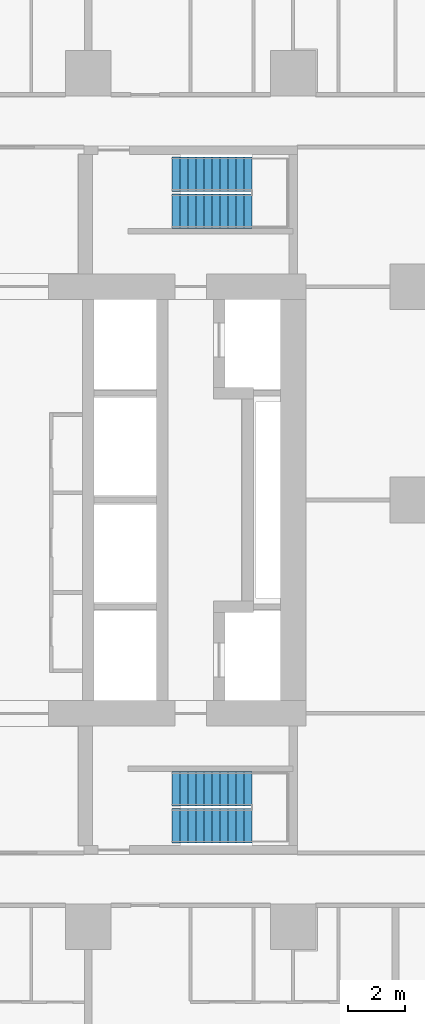
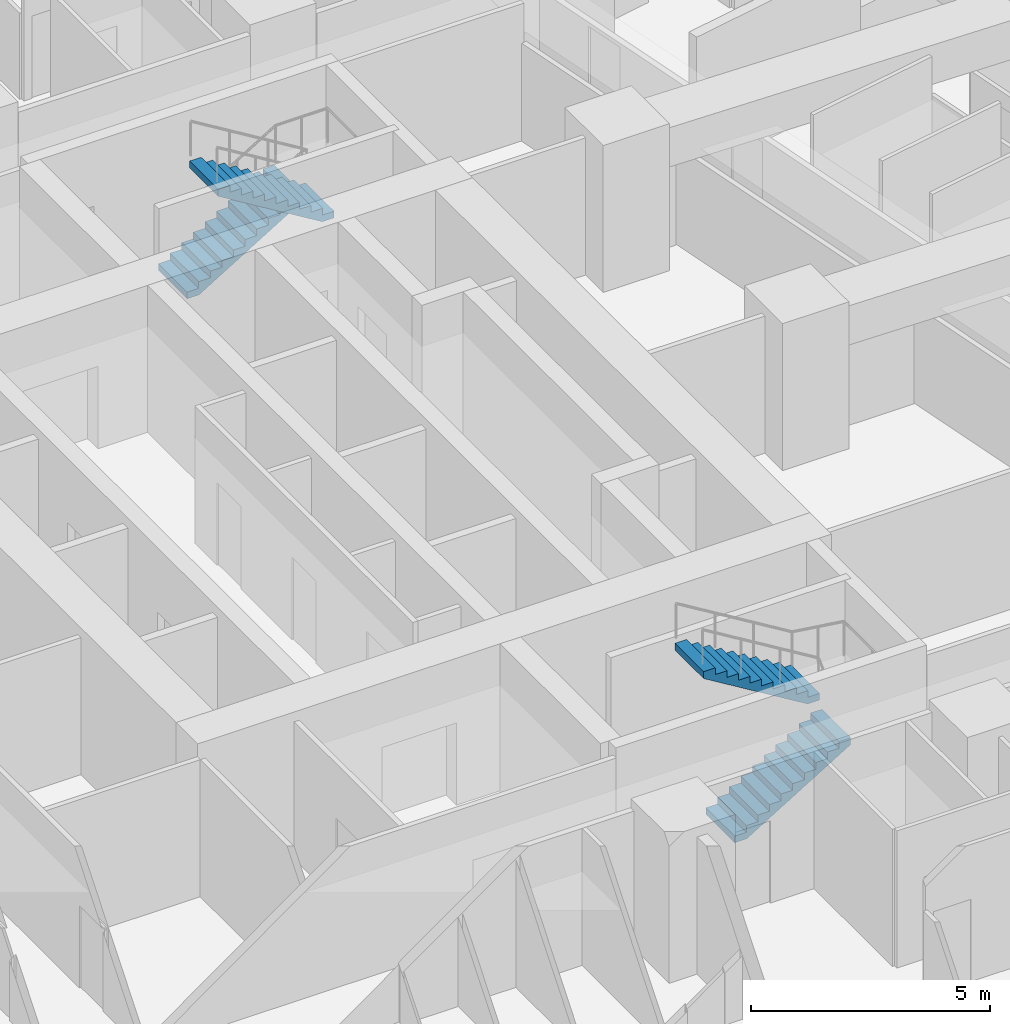
# One storey, part 12 of 15: 4 stair flights, 2 elements without a shape of their own.
"""IFC4 building model written with IfcOpenShell, lengths in metres."""

from ifc_helpers import new_model, si_unit, direction, frame, origin, place, context, subcontext, project, spatial, triangles, material, type_object, element, aggregate, save


model = new_model("IFC4")

# Units and contexts
model_context = context("Model", 3, precision=1e-05, world=origin(), true_north=direction((0.0, 1.0)))
body_context = subcontext(model_context, "Body", "Model", "MODEL_VIEW")
ifc_project = project(units=[si_unit("LENGTHUNIT", "METRE"), si_unit("AREAUNIT", "SQUARE_METRE"), si_unit("VOLUMEUNIT", "CUBIC_METRE"), si_unit("PLANEANGLEUNIT", "RADIAN"), si_unit("MASSUNIT", "GRAM", prefix="KILO")], contexts=[model_context])

# Site, building, storey
site_placement = place(None, origin())
site = spatial("IfcSite", under=ifc_project, at=site_placement, CompositionType="ELEMENT")
building_placement = place(site_placement, origin())
building = spatial("IfcBuilding", under=site, at=building_placement, Name="Sheger Commons Tower", CompositionType="ELEMENT")
storey_placement = place(building_placement, frame((0.0, 0.0, 107.89990234375)))
storey = spatial("IfcBuildingStorey", under=building, at=storey_placement, Name="L27", CompositionType="ELEMENT", Elevation=107.89990234375)

# Stair, stair flights
ifc_material_1 = material(Name="Concrete C35/45", Category="concrete")
stair_type = type_object("IfcStairType", Name="HALF-TURN STAIR 1200 RISE 3750", PredefinedType="HALF_TURN_STAIR", material=ifc_material_1)
stair_1_placement = place(storey_placement, origin())
stair_1 = element("IfcStair", 1, at=stair_1_placement, inside=storey, type_object=stair_type, Name="Stair S1 L27", PredefinedType="HALF_TURN_STAIR")
ifc_material_2 = material(Name="Concrete C35/45", Category="concrete")
stair_flight_type = type_object("IfcStairFlightType", Name="STAIR FLIGHT 1200 11 RISERS OF 170", PredefinedType="STRAIGHT", material=ifc_material_2)
stair_flight_1_placement = place(storey_placement, frame((24.550048828125, 11.050048828125, 0.0), z_axis=(0.0, 0.0, 1.0), x_axis=(1.0, 0.0, 0.0)))
stair_flight_1 = element("IfcStairFlight", 2, at=stair_flight_1_placement, type_object=stair_flight_type, Name="S1 flight 1", NumberOfRisers=11, NumberOfTreads=10, PredefinedType="STRAIGHT", RiserHeight=0.170454545, TreadLength=0.28, context=body_context, shape_type="Tessellation", body=[
    triangles([(0.0, 0.5999755859375, 0.0), (0.0, 0.5999755859375, 0.17041015625), (0.280029296875, 0.5999755859375, 0.17041015625), (0.280029296875, 0.5999755859375, 0.3408203125), (0.56005859375, 0.5999755859375, 0.3408203125), (0.56005859375, 0.5999755859375, 0.511474609375), (0.840087890625, 0.5999755859375, 0.511474609375), (0.840087890625, 0.5999755859375, 0.681884765625), (1.1201171875, 0.5999755859375, 0.681884765625), (1.1201171875, 0.5999755859375, 0.852294921875), (1.39990234375, 0.5999755859375, 0.852294921875), (1.39990234375, 0.5999755859375, 1.022705078125), (1.679931640625, 0.5999755859375, 1.022705078125), (1.679931640625, 0.5999755859375, 1.193115234375), (1.9599609375, 0.5999755859375, 1.193115234375), (1.9599609375, 0.5999755859375, 1.363525390625), (2.239990234375, 0.5999755859375, 1.363525390625), (2.239990234375, 0.5999755859375, 1.5341796875), (2.52001953125, 0.5999755859375, 1.5341796875), (2.52001953125, 0.5999755859375, 1.70458984375), (2.800048828125, 0.5999755859375, 1.70458984375), (2.800048828125, 0.5999755859375, 1.529052734375), (0.288330078125, 0.5999755859375, 0.0), (0.0, -0.5999755859375, 0.0), (0.0, -0.5999755859375, 0.17041015625), (0.280029296875, -0.5999755859375, 0.17041015625), (0.280029296875, -0.5999755859375, 0.3408203125), (0.56005859375, -0.5999755859375, 0.3408203125), (0.56005859375, -0.5999755859375, 0.511474609375), (0.840087890625, -0.5999755859375, 0.511474609375), (0.840087890625, -0.5999755859375, 0.681884765625), (1.1201171875, -0.5999755859375, 0.681884765625), (1.1201171875, -0.5999755859375, 0.852294921875), (1.39990234375, -0.5999755859375, 0.852294921875), (1.39990234375, -0.5999755859375, 1.022705078125), (1.679931640625, -0.5999755859375, 1.022705078125), (1.679931640625, -0.5999755859375, 1.193115234375), (1.9599609375, -0.5999755859375, 1.193115234375), (1.9599609375, -0.5999755859375, 1.363525390625), (2.239990234375, -0.5999755859375, 1.363525390625), (2.239990234375, -0.5999755859375, 1.5341796875), (2.52001953125, -0.5999755859375, 1.5341796875), (2.52001953125, -0.5999755859375, 1.70458984375), (2.800048828125, -0.5999755859375, 1.70458984375), (2.800048828125, -0.5999755859375, 1.529052734375), (0.288330078125, -0.5999755859375, 0.0), (0.0, 0.0, 0.085205078125), (0.1400146484375, 0.0, 0.17041015625), (0.280029296875, 0.0, 0.255615234375), (0.4200439453125, 0.0, 0.3408203125), (0.56005859375, 0.0, 0.4261474609375), (0.7000732421875, 0.0, 0.511474609375), (0.840087890625, 0.0, 0.5966796875), (0.9801025390625, 0.0, 0.681884765625), (1.1201171875, 0.0, 0.76708984375), (1.260009765625, 0.0, 0.852294921875), (1.39990234375, 0.0, 0.9375), (1.5399169921875, 0.0, 1.022705078125), (1.679931640625, 0.0, 1.10791015625), (1.8199462890625, 0.0, 1.193115234375), (1.9599609375, 0.0, 1.2783203125), (2.0999755859375, 0.0, 1.363525390625), (2.239990234375, 0.0, 1.4488525390625), (2.3800048828125, 0.0, 1.5341796875), (2.52001953125, 0.0, 1.619384765625), (2.6600341796875, 0.0, 1.70458984375), (2.800048828125, 0.0, 1.6168212890625), (1.544189453125, 0.0, 0.7645263671875), (0.1441650390625, 0.0, 0.0)], [[1, 22, 23], [24, 46, 45], [22, 20, 21], [45, 44, 43], [22, 19, 20], [45, 43, 42], [22, 18, 19], [45, 42, 41], [22, 17, 18], [45, 41, 40], [17, 15, 16], [40, 39, 38], [22, 15, 17], [45, 40, 38], [15, 13, 14], [38, 37, 36], [22, 13, 15], [45, 38, 36], [13, 11, 12], [36, 35, 34], [22, 11, 13], [45, 36, 34], [11, 9, 10], [34, 33, 32], [22, 9, 11], [45, 34, 32], [9, 7, 8], [32, 31, 30], [22, 7, 9], [45, 32, 30], [7, 5, 6], [30, 29, 28], [22, 5, 7], [45, 30, 28], [5, 3, 4], [28, 27, 26], [22, 3, 5], [45, 28, 26], [1, 3, 22], [24, 45, 26], [3, 1, 2], [26, 25, 24], [1, 47, 2], [2, 47, 25], [25, 47, 24], [24, 47, 1], [2, 48, 3], [3, 48, 26], [26, 48, 25], [25, 48, 2], [3, 49, 4], [4, 49, 27], [27, 49, 26], [26, 49, 3], [4, 50, 5], [5, 50, 28], [28, 50, 27], [27, 50, 4], [5, 51, 6], [6, 51, 29], [29, 51, 28], [28, 51, 5], [6, 52, 7], [7, 52, 30], [30, 52, 29], [29, 52, 6], [7, 53, 8], [8, 53, 31], [31, 53, 30], [30, 53, 7], [8, 54, 9], [9, 54, 32], [32, 54, 31], [31, 54, 8], [9, 55, 10], [10, 55, 33], [33, 55, 32], [32, 55, 9], [10, 56, 11], [11, 56, 34], [34, 56, 33], [33, 56, 10], [11, 57, 12], [12, 57, 35], [35, 57, 34], [34, 57, 11], [12, 58, 13], [13, 58, 36], [36, 58, 35], [35, 58, 12], [13, 59, 14], [14, 59, 37], [37, 59, 36], [36, 59, 13], [14, 60, 15], [15, 60, 38], [38, 60, 37], [37, 60, 14], [15, 61, 16], [16, 61, 39], [39, 61, 38], [38, 61, 15], [16, 62, 17], [17, 62, 40], [40, 62, 39], [39, 62, 16], [17, 63, 18], [18, 63, 41], [41, 63, 40], [40, 63, 17], [18, 64, 19], [19, 64, 42], [42, 64, 41], [41, 64, 18], [19, 65, 20], [20, 65, 43], [43, 65, 42], [42, 65, 19], [20, 66, 21], [21, 66, 44], [44, 66, 43], [43, 66, 20], [21, 67, 22], [22, 67, 45], [45, 67, 44], [44, 67, 21], [22, 68, 23], [23, 68, 46], [46, 68, 45], [45, 68, 22], [23, 69, 1], [1, 69, 24], [24, 69, 46], [46, 69, 23]], closed=True),
])
stair_flight_2_placement = place(storey_placement, frame((27.35009765625, 12.35009765625, 1.875), z_axis=(0.0, 0.0, 1.0), x_axis=(-1.0, 0.0, 0.0)))
stair_flight_2 = element("IfcStairFlight", 3, at=stair_flight_2_placement, type_object=stair_flight_type, Name="S1 flight 2", NumberOfRisers=11, NumberOfTreads=10, PredefinedType="STRAIGHT", RiserHeight=0.170454545, TreadLength=0.28, context=body_context, shape_type="Tessellation", body=[
    triangles([(0.0, 0.5999755859375, 0.0), (0.0, 0.5999755859375, 0.17041015625), (0.280029296875, 0.5999755859375, 0.17041015625), (0.280029296875, 0.5999755859375, 0.3408203125), (0.56005859375, 0.5999755859375, 0.3408203125), (0.56005859375, 0.5999755859375, 0.511474609375), (0.840087890625, 0.5999755859375, 0.511474609375), (0.840087890625, 0.5999755859375, 0.681884765625), (1.1201171875, 0.5999755859375, 0.681884765625), (1.1201171875, 0.5999755859375, 0.852294921875), (1.39990234375, 0.5999755859375, 0.852294921875), (1.39990234375, 0.5999755859375, 1.022705078125), (1.679931640625, 0.5999755859375, 1.022705078125), (1.679931640625, 0.5999755859375, 1.193115234375), (1.9599609375, 0.5999755859375, 1.193115234375), (1.9599609375, 0.5999755859375, 1.363525390625), (2.239990234375, 0.5999755859375, 1.363525390625), (2.239990234375, 0.5999755859375, 1.5341796875), (2.52001953125, 0.5999755859375, 1.5341796875), (2.52001953125, 0.5999755859375, 1.70458984375), (2.800048828125, 0.5999755859375, 1.70458984375), (2.800048828125, 0.5999755859375, 1.529052734375), (0.288330078125, 0.5999755859375, 0.0), (0.0, -0.5999755859375, 0.0), (0.0, -0.5999755859375, 0.17041015625), (0.280029296875, -0.5999755859375, 0.17041015625), (0.280029296875, -0.5999755859375, 0.3408203125), (0.56005859375, -0.5999755859375, 0.3408203125), (0.56005859375, -0.5999755859375, 0.511474609375), (0.840087890625, -0.5999755859375, 0.511474609375), (0.840087890625, -0.5999755859375, 0.681884765625), (1.1201171875, -0.5999755859375, 0.681884765625), (1.1201171875, -0.5999755859375, 0.852294921875), (1.39990234375, -0.5999755859375, 0.852294921875), (1.39990234375, -0.5999755859375, 1.022705078125), (1.679931640625, -0.5999755859375, 1.022705078125), (1.679931640625, -0.5999755859375, 1.193115234375), (1.9599609375, -0.5999755859375, 1.193115234375), (1.9599609375, -0.5999755859375, 1.363525390625), (2.239990234375, -0.5999755859375, 1.363525390625), (2.239990234375, -0.5999755859375, 1.5341796875), (2.52001953125, -0.5999755859375, 1.5341796875), (2.52001953125, -0.5999755859375, 1.70458984375), (2.800048828125, -0.5999755859375, 1.70458984375), (2.800048828125, -0.5999755859375, 1.529052734375), (0.288330078125, -0.5999755859375, 0.0), (0.0, 0.0, 0.085205078125), (0.1400146484375, 0.0, 0.17041015625), (0.280029296875, 0.0, 0.255615234375), (0.4200439453125, 0.0, 0.3408203125), (0.56005859375, 0.0, 0.4261474609375), (0.7000732421875, 0.0, 0.511474609375), (0.840087890625, 0.0, 0.5966796875), (0.9801025390625, 0.0, 0.681884765625), (1.1201171875, 0.0, 0.76708984375), (1.260009765625, 0.0, 0.852294921875), (1.39990234375, 0.0, 0.9375), (1.5399169921875, 0.0, 1.022705078125), (1.679931640625, 0.0, 1.10791015625), (1.8199462890625, 0.0, 1.193115234375), (1.9599609375, 0.0, 1.2783203125), (2.0999755859375, 0.0, 1.363525390625), (2.239990234375, 0.0, 1.4488525390625), (2.3800048828125, 0.0, 1.5341796875), (2.52001953125, 0.0, 1.619384765625), (2.6600341796875, 0.0, 1.70458984375), (2.800048828125, 0.0, 1.6168212890625), (1.544189453125, 0.0, 0.7645263671875), (0.1441650390625, 0.0, 0.0)], [[1, 22, 23], [24, 46, 45], [22, 20, 21], [45, 44, 43], [22, 19, 20], [45, 43, 42], [22, 18, 19], [45, 42, 41], [22, 17, 18], [45, 41, 40], [17, 15, 16], [40, 39, 38], [22, 15, 17], [45, 40, 38], [15, 13, 14], [38, 37, 36], [22, 13, 15], [45, 38, 36], [13, 11, 12], [36, 35, 34], [22, 11, 13], [45, 36, 34], [11, 9, 10], [34, 33, 32], [22, 9, 11], [45, 34, 32], [9, 7, 8], [32, 31, 30], [22, 7, 9], [45, 32, 30], [7, 5, 6], [30, 29, 28], [22, 5, 7], [45, 30, 28], [5, 3, 4], [28, 27, 26], [22, 3, 5], [45, 28, 26], [1, 3, 22], [24, 45, 26], [3, 1, 2], [26, 25, 24], [1, 47, 2], [2, 47, 25], [25, 47, 24], [24, 47, 1], [2, 48, 3], [3, 48, 26], [26, 48, 25], [25, 48, 2], [3, 49, 4], [4, 49, 27], [27, 49, 26], [26, 49, 3], [4, 50, 5], [5, 50, 28], [28, 50, 27], [27, 50, 4], [5, 51, 6], [6, 51, 29], [29, 51, 28], [28, 51, 5], [6, 52, 7], [7, 52, 30], [30, 52, 29], [29, 52, 6], [7, 53, 8], [8, 53, 31], [31, 53, 30], [30, 53, 7], [8, 54, 9], [9, 54, 32], [32, 54, 31], [31, 54, 8], [9, 55, 10], [10, 55, 33], [33, 55, 32], [32, 55, 9], [10, 56, 11], [11, 56, 34], [34, 56, 33], [33, 56, 10], [11, 57, 12], [12, 57, 35], [35, 57, 34], [34, 57, 11], [12, 58, 13], [13, 58, 36], [36, 58, 35], [35, 58, 12], [13, 59, 14], [14, 59, 37], [37, 59, 36], [36, 59, 13], [14, 60, 15], [15, 60, 38], [38, 60, 37], [37, 60, 14], [15, 61, 16], [16, 61, 39], [39, 61, 38], [38, 61, 15], [16, 62, 17], [17, 62, 40], [40, 62, 39], [39, 62, 16], [17, 63, 18], [18, 63, 41], [41, 63, 40], [40, 63, 17], [18, 64, 19], [19, 64, 42], [42, 64, 41], [41, 64, 18], [19, 65, 20], [20, 65, 43], [43, 65, 42], [42, 65, 19], [20, 66, 21], [21, 66, 44], [44, 66, 43], [43, 66, 20], [21, 67, 22], [22, 67, 45], [45, 67, 44], [44, 67, 21], [22, 68, 23], [23, 68, 46], [46, 68, 45], [45, 68, 22], [23, 69, 1], [1, 69, 24], [24, 69, 46], [46, 69, 23]], closed=True),
])
aggregate(stair_1, [stair_flight_1, stair_flight_2])

stair_2_placement = place(storey_placement, origin())
stair_2 = element("IfcStair", 4, at=stair_2_placement, inside=storey, type_object=stair_type, Name="Stair S2 L27", PredefinedType="HALF_TURN_STAIR")
stair_flight_3_placement = place(storey_placement, frame((24.550048828125, 33.949951171875, 0.0), z_axis=(0.0, 0.0, 1.0), x_axis=(1.0, 0.0, 0.0)))
stair_flight_3 = element("IfcStairFlight", 5, at=stair_flight_3_placement, type_object=stair_flight_type, Name="S2 flight 1", NumberOfRisers=11, NumberOfTreads=10, PredefinedType="STRAIGHT", RiserHeight=0.170454545, TreadLength=0.28, context=body_context, shape_type="Tessellation", body=[
    triangles([(0.0, 0.5999755859375, 0.0), (0.0, 0.5999755859375, 0.17041015625), (0.280029296875, 0.5999755859375, 0.17041015625), (0.280029296875, 0.5999755859375, 0.3408203125), (0.56005859375, 0.5999755859375, 0.3408203125), (0.56005859375, 0.5999755859375, 0.511474609375), (0.840087890625, 0.5999755859375, 0.511474609375), (0.840087890625, 0.5999755859375, 0.681884765625), (1.1201171875, 0.5999755859375, 0.681884765625), (1.1201171875, 0.5999755859375, 0.852294921875), (1.39990234375, 0.5999755859375, 0.852294921875), (1.39990234375, 0.5999755859375, 1.022705078125), (1.679931640625, 0.5999755859375, 1.022705078125), (1.679931640625, 0.5999755859375, 1.193115234375), (1.9599609375, 0.5999755859375, 1.193115234375), (1.9599609375, 0.5999755859375, 1.363525390625), (2.239990234375, 0.5999755859375, 1.363525390625), (2.239990234375, 0.5999755859375, 1.5341796875), (2.52001953125, 0.5999755859375, 1.5341796875), (2.52001953125, 0.5999755859375, 1.70458984375), (2.800048828125, 0.5999755859375, 1.70458984375), (2.800048828125, 0.5999755859375, 1.529052734375), (0.288330078125, 0.5999755859375, 0.0), (0.0, -0.5999755859375, 0.0), (0.0, -0.5999755859375, 0.17041015625), (0.280029296875, -0.5999755859375, 0.17041015625), (0.280029296875, -0.5999755859375, 0.3408203125), (0.56005859375, -0.5999755859375, 0.3408203125), (0.56005859375, -0.5999755859375, 0.511474609375), (0.840087890625, -0.5999755859375, 0.511474609375), (0.840087890625, -0.5999755859375, 0.681884765625), (1.1201171875, -0.5999755859375, 0.681884765625), (1.1201171875, -0.5999755859375, 0.852294921875), (1.39990234375, -0.5999755859375, 0.852294921875), (1.39990234375, -0.5999755859375, 1.022705078125), (1.679931640625, -0.5999755859375, 1.022705078125), (1.679931640625, -0.5999755859375, 1.193115234375), (1.9599609375, -0.5999755859375, 1.193115234375), (1.9599609375, -0.5999755859375, 1.363525390625), (2.239990234375, -0.5999755859375, 1.363525390625), (2.239990234375, -0.5999755859375, 1.5341796875), (2.52001953125, -0.5999755859375, 1.5341796875), (2.52001953125, -0.5999755859375, 1.70458984375), (2.800048828125, -0.5999755859375, 1.70458984375), (2.800048828125, -0.5999755859375, 1.529052734375), (0.288330078125, -0.5999755859375, 0.0), (0.0, 0.0, 0.085205078125), (0.1400146484375, 0.0, 0.17041015625), (0.280029296875, 0.0, 0.255615234375), (0.4200439453125, 0.0, 0.3408203125), (0.56005859375, 0.0, 0.4261474609375), (0.7000732421875, 0.0, 0.511474609375), (0.840087890625, 0.0, 0.5966796875), (0.9801025390625, 0.0, 0.681884765625), (1.1201171875, 0.0, 0.76708984375), (1.260009765625, 0.0, 0.852294921875), (1.39990234375, 0.0, 0.9375), (1.5399169921875, 0.0, 1.022705078125), (1.679931640625, 0.0, 1.10791015625), (1.8199462890625, 0.0, 1.193115234375), (1.9599609375, 0.0, 1.2783203125), (2.0999755859375, 0.0, 1.363525390625), (2.239990234375, 0.0, 1.4488525390625), (2.3800048828125, 0.0, 1.5341796875), (2.52001953125, 0.0, 1.619384765625), (2.6600341796875, 0.0, 1.70458984375), (2.800048828125, 0.0, 1.6168212890625), (1.544189453125, 0.0, 0.7645263671875), (0.1441650390625, 0.0, 0.0)], [[1, 22, 23], [24, 46, 45], [22, 20, 21], [45, 44, 43], [22, 19, 20], [45, 43, 42], [22, 18, 19], [45, 42, 41], [22, 17, 18], [45, 41, 40], [17, 15, 16], [40, 39, 38], [22, 15, 17], [45, 40, 38], [15, 13, 14], [38, 37, 36], [22, 13, 15], [45, 38, 36], [13, 11, 12], [36, 35, 34], [22, 11, 13], [45, 36, 34], [11, 9, 10], [34, 33, 32], [22, 9, 11], [45, 34, 32], [9, 7, 8], [32, 31, 30], [22, 7, 9], [45, 32, 30], [7, 5, 6], [30, 29, 28], [22, 5, 7], [45, 30, 28], [5, 3, 4], [28, 27, 26], [22, 3, 5], [45, 28, 26], [1, 3, 22], [24, 45, 26], [3, 1, 2], [26, 25, 24], [1, 47, 2], [2, 47, 25], [25, 47, 24], [24, 47, 1], [2, 48, 3], [3, 48, 26], [26, 48, 25], [25, 48, 2], [3, 49, 4], [4, 49, 27], [27, 49, 26], [26, 49, 3], [4, 50, 5], [5, 50, 28], [28, 50, 27], [27, 50, 4], [5, 51, 6], [6, 51, 29], [29, 51, 28], [28, 51, 5], [6, 52, 7], [7, 52, 30], [30, 52, 29], [29, 52, 6], [7, 53, 8], [8, 53, 31], [31, 53, 30], [30, 53, 7], [8, 54, 9], [9, 54, 32], [32, 54, 31], [31, 54, 8], [9, 55, 10], [10, 55, 33], [33, 55, 32], [32, 55, 9], [10, 56, 11], [11, 56, 34], [34, 56, 33], [33, 56, 10], [11, 57, 12], [12, 57, 35], [35, 57, 34], [34, 57, 11], [12, 58, 13], [13, 58, 36], [36, 58, 35], [35, 58, 12], [13, 59, 14], [14, 59, 37], [37, 59, 36], [36, 59, 13], [14, 60, 15], [15, 60, 38], [38, 60, 37], [37, 60, 14], [15, 61, 16], [16, 61, 39], [39, 61, 38], [38, 61, 15], [16, 62, 17], [17, 62, 40], [40, 62, 39], [39, 62, 16], [17, 63, 18], [18, 63, 41], [41, 63, 40], [40, 63, 17], [18, 64, 19], [19, 64, 42], [42, 64, 41], [41, 64, 18], [19, 65, 20], [20, 65, 43], [43, 65, 42], [42, 65, 19], [20, 66, 21], [21, 66, 44], [44, 66, 43], [43, 66, 20], [21, 67, 22], [22, 67, 45], [45, 67, 44], [44, 67, 21], [22, 68, 23], [23, 68, 46], [46, 68, 45], [45, 68, 22], [23, 69, 1], [1, 69, 24], [24, 69, 46], [46, 69, 23]], closed=True),
])
stair_flight_4_placement = place(storey_placement, frame((27.35009765625, 32.64990234375, 1.875), z_axis=(0.0, 0.0, 1.0), x_axis=(-1.0, 0.0, 0.0)))
stair_flight_4 = element("IfcStairFlight", 6, at=stair_flight_4_placement, type_object=stair_flight_type, Name="S2 flight 2", NumberOfRisers=11, NumberOfTreads=10, PredefinedType="STRAIGHT", RiserHeight=0.170454545, TreadLength=0.28, context=body_context, shape_type="Tessellation", body=[
    triangles([(0.0, 0.5999755859375, 0.0), (0.0, 0.5999755859375, 0.17041015625), (0.280029296875, 0.5999755859375, 0.17041015625), (0.280029296875, 0.5999755859375, 0.3408203125), (0.56005859375, 0.5999755859375, 0.3408203125), (0.56005859375, 0.5999755859375, 0.511474609375), (0.840087890625, 0.5999755859375, 0.511474609375), (0.840087890625, 0.5999755859375, 0.681884765625), (1.1201171875, 0.5999755859375, 0.681884765625), (1.1201171875, 0.5999755859375, 0.852294921875), (1.39990234375, 0.5999755859375, 0.852294921875), (1.39990234375, 0.5999755859375, 1.022705078125), (1.679931640625, 0.5999755859375, 1.022705078125), (1.679931640625, 0.5999755859375, 1.193115234375), (1.9599609375, 0.5999755859375, 1.193115234375), (1.9599609375, 0.5999755859375, 1.363525390625), (2.239990234375, 0.5999755859375, 1.363525390625), (2.239990234375, 0.5999755859375, 1.5341796875), (2.52001953125, 0.5999755859375, 1.5341796875), (2.52001953125, 0.5999755859375, 1.70458984375), (2.800048828125, 0.5999755859375, 1.70458984375), (2.800048828125, 0.5999755859375, 1.529052734375), (0.288330078125, 0.5999755859375, 0.0), (0.0, -0.5999755859375, 0.0), (0.0, -0.5999755859375, 0.17041015625), (0.280029296875, -0.5999755859375, 0.17041015625), (0.280029296875, -0.5999755859375, 0.3408203125), (0.56005859375, -0.5999755859375, 0.3408203125), (0.56005859375, -0.5999755859375, 0.511474609375), (0.840087890625, -0.5999755859375, 0.511474609375), (0.840087890625, -0.5999755859375, 0.681884765625), (1.1201171875, -0.5999755859375, 0.681884765625), (1.1201171875, -0.5999755859375, 0.852294921875), (1.39990234375, -0.5999755859375, 0.852294921875), (1.39990234375, -0.5999755859375, 1.022705078125), (1.679931640625, -0.5999755859375, 1.022705078125), (1.679931640625, -0.5999755859375, 1.193115234375), (1.9599609375, -0.5999755859375, 1.193115234375), (1.9599609375, -0.5999755859375, 1.363525390625), (2.239990234375, -0.5999755859375, 1.363525390625), (2.239990234375, -0.5999755859375, 1.5341796875), (2.52001953125, -0.5999755859375, 1.5341796875), (2.52001953125, -0.5999755859375, 1.70458984375), (2.800048828125, -0.5999755859375, 1.70458984375), (2.800048828125, -0.5999755859375, 1.529052734375), (0.288330078125, -0.5999755859375, 0.0), (0.0, 0.0, 0.085205078125), (0.1400146484375, 0.0, 0.17041015625), (0.280029296875, 0.0, 0.255615234375), (0.4200439453125, 0.0, 0.3408203125), (0.56005859375, 0.0, 0.4261474609375), (0.7000732421875, 0.0, 0.511474609375), (0.840087890625, 0.0, 0.5966796875), (0.9801025390625, 0.0, 0.681884765625), (1.1201171875, 0.0, 0.76708984375), (1.260009765625, 0.0, 0.852294921875), (1.39990234375, 0.0, 0.9375), (1.5399169921875, 0.0, 1.022705078125), (1.679931640625, 0.0, 1.10791015625), (1.8199462890625, 0.0, 1.193115234375), (1.9599609375, 0.0, 1.2783203125), (2.0999755859375, 0.0, 1.363525390625), (2.239990234375, 0.0, 1.4488525390625), (2.3800048828125, 0.0, 1.5341796875), (2.52001953125, 0.0, 1.619384765625), (2.6600341796875, 0.0, 1.70458984375), (2.800048828125, 0.0, 1.6168212890625), (1.544189453125, 0.0, 0.7645263671875), (0.1441650390625, 0.0, 0.0)], [[1, 22, 23], [24, 46, 45], [22, 20, 21], [45, 44, 43], [22, 19, 20], [45, 43, 42], [22, 18, 19], [45, 42, 41], [22, 17, 18], [45, 41, 40], [17, 15, 16], [40, 39, 38], [22, 15, 17], [45, 40, 38], [15, 13, 14], [38, 37, 36], [22, 13, 15], [45, 38, 36], [13, 11, 12], [36, 35, 34], [22, 11, 13], [45, 36, 34], [11, 9, 10], [34, 33, 32], [22, 9, 11], [45, 34, 32], [9, 7, 8], [32, 31, 30], [22, 7, 9], [45, 32, 30], [7, 5, 6], [30, 29, 28], [22, 5, 7], [45, 30, 28], [5, 3, 4], [28, 27, 26], [22, 3, 5], [45, 28, 26], [1, 3, 22], [24, 45, 26], [3, 1, 2], [26, 25, 24], [1, 47, 2], [2, 47, 25], [25, 47, 24], [24, 47, 1], [2, 48, 3], [3, 48, 26], [26, 48, 25], [25, 48, 2], [3, 49, 4], [4, 49, 27], [27, 49, 26], [26, 49, 3], [4, 50, 5], [5, 50, 28], [28, 50, 27], [27, 50, 4], [5, 51, 6], [6, 51, 29], [29, 51, 28], [28, 51, 5], [6, 52, 7], [7, 52, 30], [30, 52, 29], [29, 52, 6], [7, 53, 8], [8, 53, 31], [31, 53, 30], [30, 53, 7], [8, 54, 9], [9, 54, 32], [32, 54, 31], [31, 54, 8], [9, 55, 10], [10, 55, 33], [33, 55, 32], [32, 55, 9], [10, 56, 11], [11, 56, 34], [34, 56, 33], [33, 56, 10], [11, 57, 12], [12, 57, 35], [35, 57, 34], [34, 57, 11], [12, 58, 13], [13, 58, 36], [36, 58, 35], [35, 58, 12], [13, 59, 14], [14, 59, 37], [37, 59, 36], [36, 59, 13], [14, 60, 15], [15, 60, 38], [38, 60, 37], [37, 60, 14], [15, 61, 16], [16, 61, 39], [39, 61, 38], [38, 61, 15], [16, 62, 17], [17, 62, 40], [40, 62, 39], [39, 62, 16], [17, 63, 18], [18, 63, 41], [41, 63, 40], [40, 63, 17], [18, 64, 19], [19, 64, 42], [42, 64, 41], [41, 64, 18], [19, 65, 20], [20, 65, 43], [43, 65, 42], [42, 65, 19], [20, 66, 21], [21, 66, 44], [44, 66, 43], [43, 66, 20], [21, 67, 22], [22, 67, 45], [45, 67, 44], [44, 67, 21], [22, 68, 23], [23, 68, 46], [46, 68, 45], [45, 68, 22], [23, 69, 1], [1, 69, 24], [24, 69, 46], [46, 69, 23]], closed=True),
])
aggregate(stair_2, [stair_flight_3, stair_flight_4])

save(model, "model.ifc")
